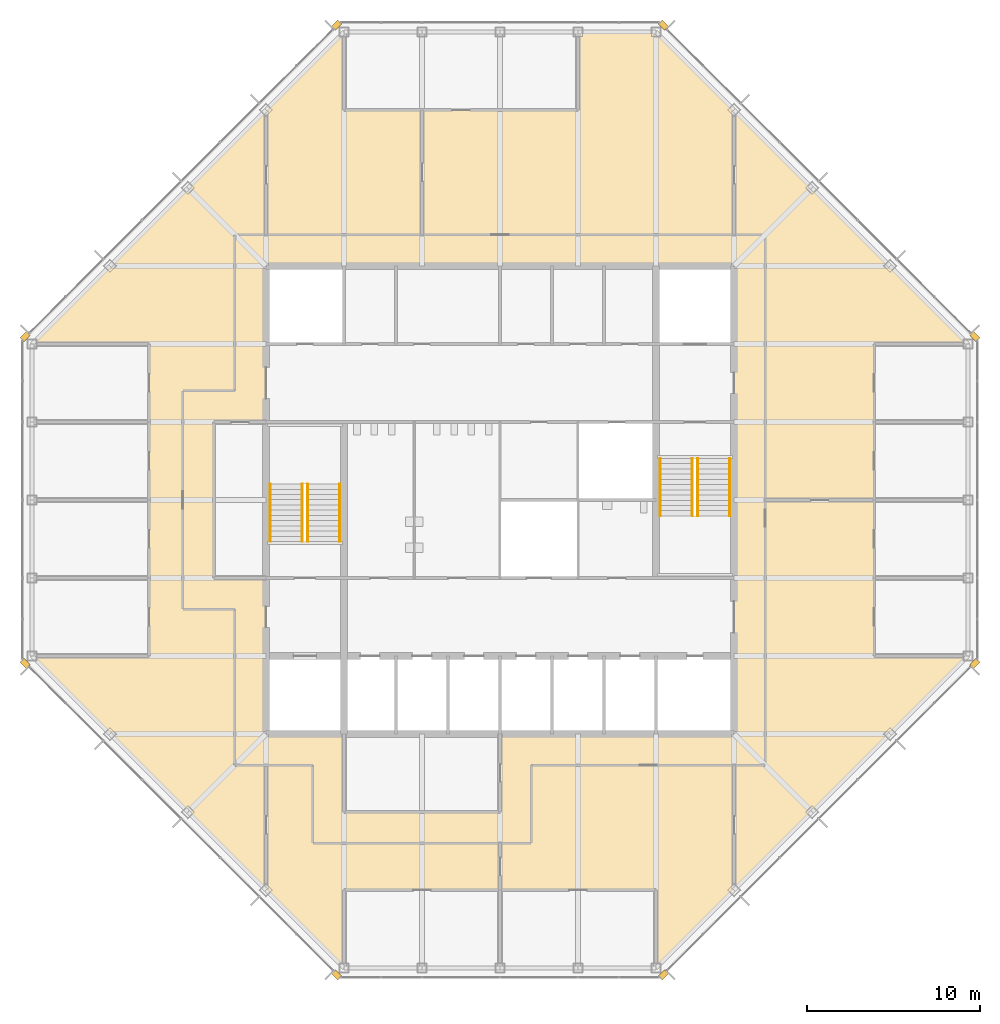
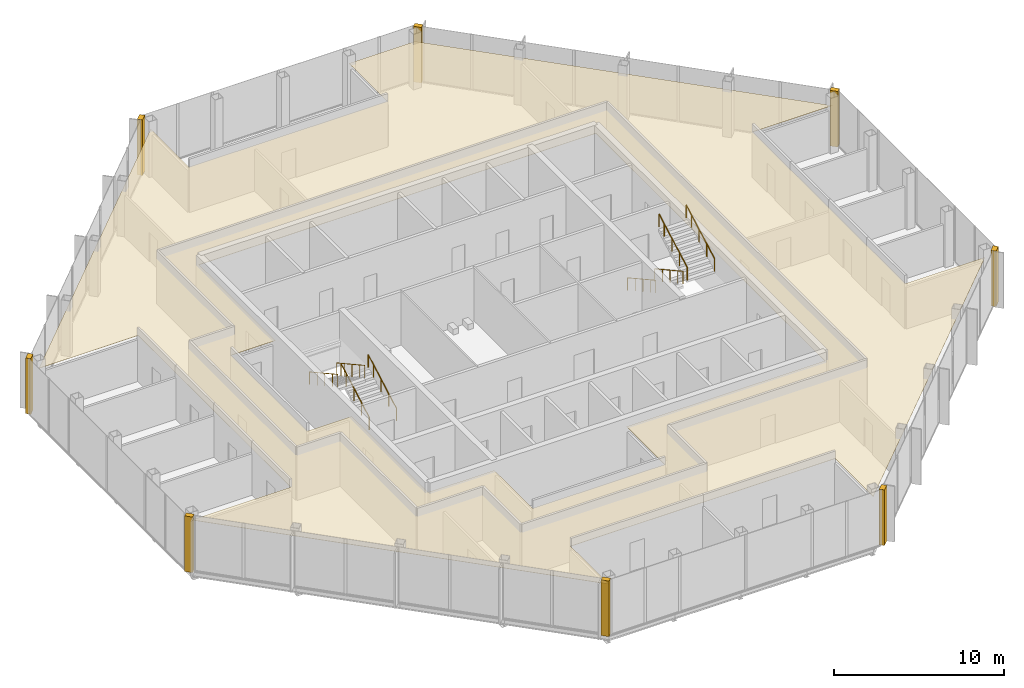
# One storey, part 13 of 14: 9 coverings, 8 railings.
"""IFC4 building model written with IfcOpenShell, lengths in metres."""

from ifc_helpers import new_model, si_unit, direction, frame, origin, origin_2d, place, context, subcontext, project, spatial, polyline, circle, outline, extrude, material, layer, layer_set, type_object, element, save


model = new_model("IFC4")

# Units and contexts
model_context = context("Model", 3, precision=1e-05, world=origin(), true_north=direction((0.0, 1.0)))
body_context = subcontext(model_context, "Body", "Model", "MODEL_VIEW")
ifc_project = project(units=[si_unit("LENGTHUNIT", "METRE"), si_unit("AREAUNIT", "SQUARE_METRE"), si_unit("VOLUMEUNIT", "CUBIC_METRE"), si_unit("PLANEANGLEUNIT", "RADIAN"), si_unit("MASSUNIT", "GRAM", prefix="KILO")], contexts=[model_context])

# Site, building, storey
site_placement = place(None, origin())
site = spatial("IfcSite", under=ifc_project, at=site_placement, CompositionType="ELEMENT")
building_placement = place(site_placement, origin())
building = spatial("IfcBuilding", under=site, at=building_placement, Name="Corais Broadcast Tower", CompositionType="ELEMENT")
storey_placement = place(building_placement, frame((0.0, 0.0, 298.60009765625)))
storey = spatial("IfcBuildingStorey", under=building, at=storey_placement, Name="L70", CompositionType="ELEMENT", Elevation=298.60009765625)

# Railings
ifc_material_1 = material(Name="Stainless steel handrail", Category="steel")
railing_type = type_object("IfcRailingType", Name="Handrail 920", PredefinedType="HANDRAIL", material=ifc_material_1)
for number, where, name in (
    (1, (17.75, 24.60009765625, 0.16650390625), "HR1 L70"),
    (2, (15.89990234375, 24.60009765625, 0.16650390625), "HR1 L70"),
):
    element("IfcRailing", number, at=place(storey_placement, frame(where)), inside=storey, type_object=railing_type, Name=name, PredefinedType="HANDRAIL", context=body_context, shape_type="SweptSolid", body=[
        extrude(circle(Radius=0.02392578125, at=origin_2d()), frame((0.0, 0.0, 0.89599609375), z_axis=(0.0, 0.875504475178, 0.483210010185), x_axis=(-1.0, 0.0, 0.0)), (0.0, 0.0, 1.0), 3.79443359375),
        extrude(circle(Radius=0.02099609375, at=origin_2d()), origin(), (0.0, 0.0, 1.0), 0.871826171875),
        extrude(circle(Radius=0.02099609375, at=origin_2d()), frame((0.0, 0.906005859375, 0.5)), (0.0, 0.0, 1.0), 0.871826171875),
        extrude(circle(Radius=0.02099609375, at=origin_2d()), frame((0.0, 1.81201171875, 1.0)), (0.0, 0.0, 1.0), 0.871826171875),
        extrude(circle(Radius=0.02099609375, at=origin_2d()), frame((0.0, 2.718017578125, 1.500244140625)), (0.0, 0.0, 1.0), 0.871826171875),
        extrude(circle(Radius=0.02099609375, at=origin_2d()), frame((0.0, 3.322021484375, 1.83349609375)), (0.0, 0.0, 1.0), 0.871826171875),
    ])
for number, where, name in (
    (3, (13.75, 27.922119140625, 2.16650390625), "HR1 L70"),
    (4, (15.60009765625, 27.922119140625, 2.16650390625), "HR1 L70"),
    (5, (36.25, 29.39990234375, 0.16650390625), "HR1 L70"),
    (6, (38.10009765625, 29.39990234375, 0.16650390625), "HR1 L70"),
):
    element("IfcRailing", number, at=place(storey_placement, frame(where)), inside=storey, type_object=railing_type, Name=name, PredefinedType="HANDRAIL", context=body_context, shape_type="SweptSolid", body=[
        extrude(circle(Radius=0.02392578125, at=origin_2d()), frame((0.0, 0.0, 0.89599609375), z_axis=(0.0, -0.875504475178, 0.483210010185), x_axis=(1.0, 0.0, 0.0)), (0.0, 0.0, 1.0), 3.79443359375),
        extrude(circle(Radius=0.02099609375, at=origin_2d()), origin(), (0.0, 0.0, 1.0), 0.871826171875),
        extrude(circle(Radius=0.02099609375, at=origin_2d()), frame((0.0, -0.906005859375, 0.5)), (0.0, 0.0, 1.0), 0.871826171875),
        extrude(circle(Radius=0.02099609375, at=origin_2d()), frame((0.0, -1.81201171875, 1.0)), (0.0, 0.0, 1.0), 0.871826171875),
        extrude(circle(Radius=0.02099609375, at=origin_2d()), frame((0.0, -2.718017578125, 1.500244140625)), (0.0, 0.0, 1.0), 0.871826171875),
        extrude(circle(Radius=0.02099609375, at=origin_2d()), frame((0.0, -3.322021484375, 1.83349609375)), (0.0, 0.0, 1.0), 0.871826171875),
    ])
for number, where, name in (
    (7, (40.25, 26.077880859375, 2.16650390625), "HR1 L70"),
    (8, (38.39990234375, 26.077880859375, 2.16650390625), "HR1 L70"),
):
    element("IfcRailing", number, at=place(storey_placement, frame(where)), inside=storey, type_object=railing_type, Name=name, PredefinedType="HANDRAIL", context=body_context, shape_type="SweptSolid", body=[
        extrude(circle(Radius=0.02392578125, at=origin_2d()), frame((0.0, 0.0, 0.89599609375), z_axis=(0.0, 0.875504475178, 0.483210010185), x_axis=(-1.0, 0.0, 0.0)), (0.0, 0.0, 1.0), 3.79443359375),
        extrude(circle(Radius=0.02099609375, at=origin_2d()), origin(), (0.0, 0.0, 1.0), 0.871826171875),
        extrude(circle(Radius=0.02099609375, at=origin_2d()), frame((0.0, 0.906005859375, 0.5)), (0.0, 0.0, 1.0), 0.871826171875),
        extrude(circle(Radius=0.02099609375, at=origin_2d()), frame((0.0, 1.81201171875, 1.0)), (0.0, 0.0, 1.0), 0.871826171875),
        extrude(circle(Radius=0.02099609375, at=origin_2d()), frame((0.0, 2.718017578125, 1.500244140625)), (0.0, 0.0, 1.0), 0.871826171875),
        extrude(circle(Radius=0.02099609375, at=origin_2d()), frame((0.0, 3.322021484375, 1.83349609375)), (0.0, 0.0, 1.0), 0.871826171875),
    ])

# Coverings
ifc_material_2 = material(Name="Granite stone cladding", Category="masonry")
ifc_layer_1 = layer(ifc_material_2, 0.324951171875)
ifc_layer_set_1 = layer_set([ifc_layer_1], Name="Granite stone cladding")
covering_type_1 = type_object("IfcCoveringType", Name="Stone corner pier cladding 500x325", PredefinedType="CLADDING", material=ifc_layer_set_1)
covering_1_placement = place(storey_placement, origin())
element("IfcCovering", 9, at=covering_1_placement, inside=storey, type_object=covering_type_1, Name="SP1 stone corner pier L70", PredefinedType="CLADDING", context=body_context, shape_type="SweptSolid", body=[
    extrude(outline(polyline([(17.860595703125, -0.461669921875), (17.507080078125, -0.108154296875), (17.277099609375, -0.337890625), (17.630859375, -0.69140625), (17.860595703125, -0.461669921875)])), origin(), (0.0, 0.0, 1.0), 4.0),
])
covering_2_placement = place(storey_placement, origin())
element("IfcCovering", 10, at=covering_2_placement, inside=storey, type_object=covering_type_1, Name="SP1 stone corner pier L70", PredefinedType="CLADDING", context=body_context, shape_type="SweptSolid", body=[
    extrude(outline(polyline([(-0.461669921875, 17.860595703125), (-0.69140625, 17.630859375), (-0.337890625, 17.277099609375), (-0.108154296875, 17.507080078125), (-0.461669921875, 17.860595703125)])), origin(), (0.0, 0.0, 1.0), 4.0),
])
covering_3_placement = place(storey_placement, origin())
element("IfcCovering", 11, at=covering_3_placement, inside=storey, type_object=covering_type_1, Name="SP1 stone corner pier L70", PredefinedType="CLADDING", context=body_context, shape_type="SweptSolid", body=[
    extrude(outline(polyline([(-0.461669921875, 36.139404296875), (-0.108154296875, 36.492919921875), (-0.337890625, 36.722900390625), (-0.69140625, 36.369140625), (-0.461669921875, 36.139404296875)])), origin(), (0.0, 0.0, 1.0), 4.0),
])
covering_4_placement = place(storey_placement, origin())
element("IfcCovering", 12, at=covering_4_placement, inside=storey, type_object=covering_type_1, Name="SP1 stone corner pier L70", PredefinedType="CLADDING", context=body_context, shape_type="SweptSolid", body=[
    extrude(outline(polyline([(17.860595703125, 54.461669921875), (17.630859375, 54.69140625), (17.277099609375, 54.337890625), (17.507080078125, 54.108154296875), (17.860595703125, 54.461669921875)])), origin(), (0.0, 0.0, 1.0), 4.0),
])
covering_5_placement = place(storey_placement, origin())
element("IfcCovering", 13, at=covering_5_placement, inside=storey, type_object=covering_type_1, Name="SP1 stone corner pier L70", PredefinedType="CLADDING", context=body_context, shape_type="SweptSolid", body=[
    extrude(outline(polyline([(36.139404296875, 54.461669921875), (36.492919921875, 54.108154296875), (36.722900390625, 54.337890625), (36.369140625, 54.69140625), (36.139404296875, 54.461669921875)])), origin(), (0.0, 0.0, 1.0), 4.0),
])
covering_6_placement = place(storey_placement, origin())
element("IfcCovering", 14, at=covering_6_placement, inside=storey, type_object=covering_type_1, Name="SP1 stone corner pier L70", PredefinedType="CLADDING", context=body_context, shape_type="SweptSolid", body=[
    extrude(outline(polyline([(54.461669921875, 36.139404296875), (54.69140625, 36.369140625), (54.337890625, 36.722900390625), (54.108154296875, 36.492919921875), (54.461669921875, 36.139404296875)])), origin(), (0.0, 0.0, 1.0), 4.0),
])
covering_7_placement = place(storey_placement, origin())
element("IfcCovering", 15, at=covering_7_placement, inside=storey, type_object=covering_type_1, Name="SP1 stone corner pier L70", PredefinedType="CLADDING", context=body_context, shape_type="SweptSolid", body=[
    extrude(outline(polyline([(54.461669921875, 17.860595703125), (54.108154296875, 17.507080078125), (54.337890625, 17.277099609375), (54.69140625, 17.630859375), (54.461669921875, 17.860595703125)])), origin(), (0.0, 0.0, 1.0), 4.0),
])
covering_8_placement = place(storey_placement, origin())
element("IfcCovering", 16, at=covering_8_placement, inside=storey, type_object=covering_type_1, Name="SP1 stone corner pier L70", PredefinedType="CLADDING", context=body_context, shape_type="SweptSolid", body=[
    extrude(outline(polyline([(36.139404296875, -0.461669921875), (36.369140625, -0.69140625), (36.722900390625, -0.337890625), (36.492919921875, -0.108154296875), (36.139404296875, -0.461669921875)])), origin(), (0.0, 0.0, 1.0), 4.0),
])
ifc_material_3 = material(Name="Mineral fibre ceiling tile", Category="mineral")
ifc_layer_2 = layer(ifc_material_3, 0.02001953125)
ifc_layer_set_2 = layer_set([ifc_layer_2], Name="Mineral fibre ceiling tile")
covering_type_2 = type_object("IfcCoveringType", Name="Suspended ceiling", PredefinedType="CEILING", material=ifc_layer_set_2)
covering_9_placement = place(storey_placement, frame((0.0, 0.0, 3.219970703125)))
element("IfcCovering", 17, at=covering_9_placement, inside=storey, type_object=covering_type_2, Name="CE1 ceiling L70", PredefinedType="CEILING", context=body_context, shape_type="SweptSolid", body=[
    extrude(outline(polyline([(13.5, 49.5), (18.0, 54.0), (18.0, 49.5), (31.5, 49.5), (31.5, 54.0), (36.0, 54.0), (54.0, 36.0), (48.60009765625, 36.0), (48.60009765625, 18.0), (54.0, 18.0), (40.500244140625, 4.500244140625), (40.49853515625, 4.49853515625), (40.498291015625, 4.498291015625), (36.0, 0.0), (36.0, 4.5), (18.0, 4.5), (18.0, 0.0), (13.501708984375, 4.498291015625), (13.499755859375, 4.500244140625), (0.0, 18.0), (6.75, 18.0), (6.75, 36.0), (0.0, 36.0), (13.5, 49.5)]), holes=[polyline([(13.5, 40.5), (13.5, 31.5), (10.5, 31.5), (10.5, 22.5), (13.5, 22.5), (13.5, 13.5), (18.0, 13.5), (18.0, 9.0), (27.0, 9.0), (27.0, 13.5), (40.5, 13.5), (40.5, 40.5), (13.5, 40.5)])]), origin(), (0.0, 0.0, 1.0), 0.02001953125),
])

save(model, "model.ifc")
